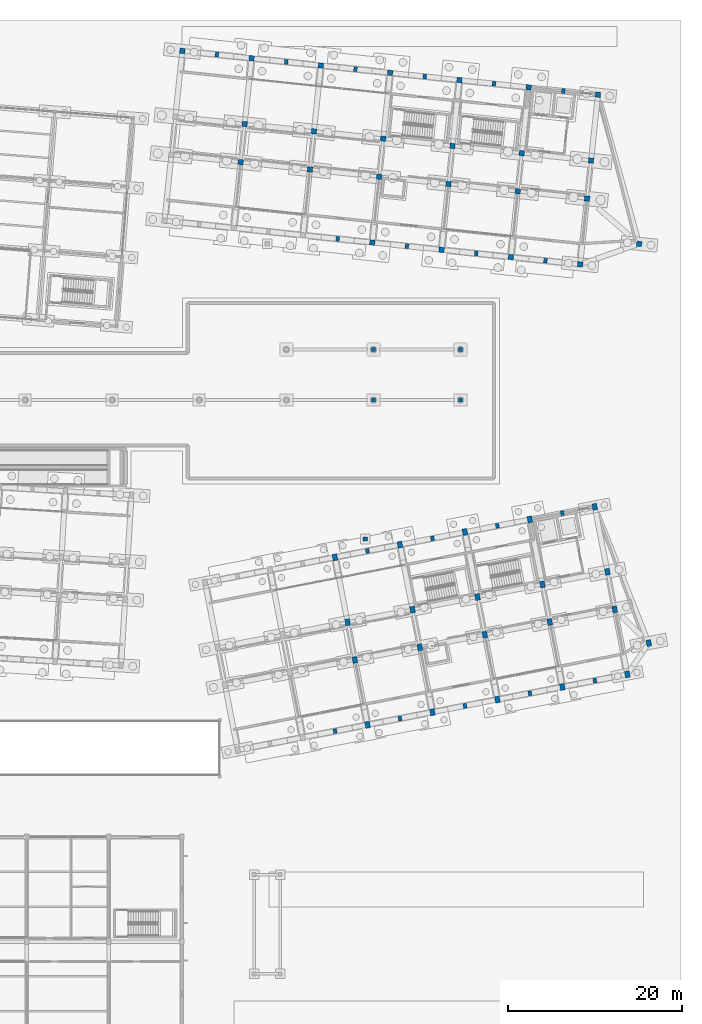
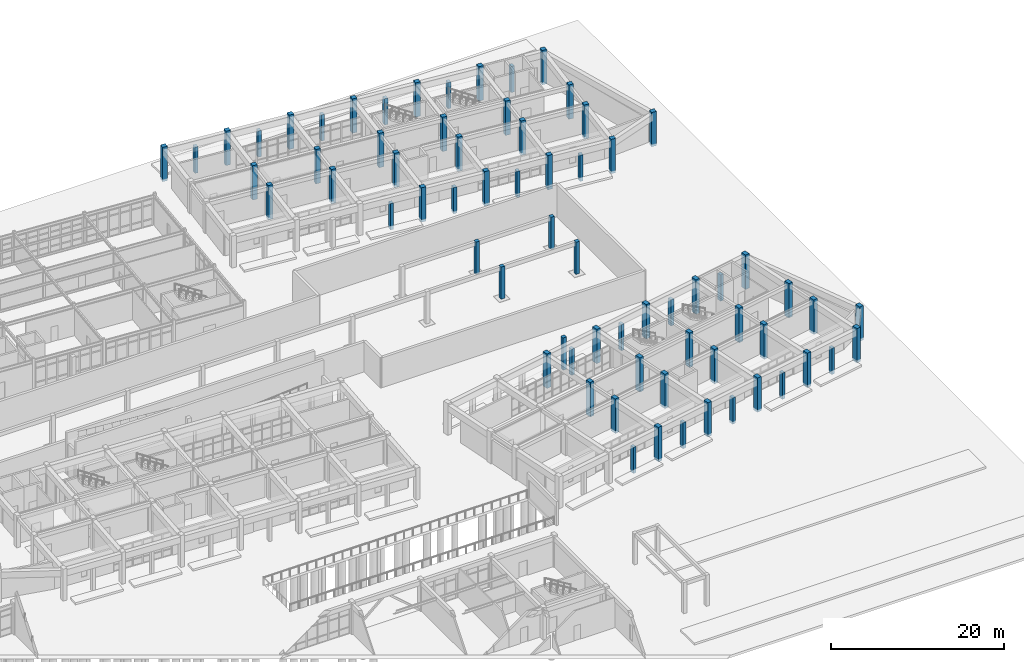
# One storey, part 12 of 154: 69 columns.
"""IFC4 building model written with IfcOpenShell, lengths in metres."""

from ifc_helpers import new_model, si_unit, direction, frame, origin, origin_2d, place, context, subcontext, project, spatial, rectangle, extrude, material, material_profile, profile_set, type_object, element, save


model = new_model("IFC4")

# Units and contexts
model_context = context("Model", 3, precision=1e-05, world=origin(), true_north=direction((0.0, 1.0)))
body_context = subcontext(model_context, "Body", "Model", "MODEL_VIEW")
ifc_project = project(units=[si_unit("LENGTHUNIT", "METRE"), si_unit("AREAUNIT", "SQUARE_METRE"), si_unit("VOLUMEUNIT", "CUBIC_METRE"), si_unit("PLANEANGLEUNIT", "RADIAN"), si_unit("MASSUNIT", "GRAM", prefix="KILO")], contexts=[model_context])

# Site, building, storey
site_placement = place(None, origin())
site = spatial("IfcSite", under=ifc_project, at=site_placement, CompositionType="ELEMENT")
building_placement = place(site_placement, origin())
building = spatial("IfcBuilding", under=site, at=building_placement, Name="Kestramere Prow Commons", CompositionType="ELEMENT")
storey_placement = place(building_placement, origin())
storey = spatial("IfcBuildingStorey", under=building, at=storey_placement, Name="L00", CompositionType="ELEMENT", Elevation=0.0)

# Columns
ifc_material = material(Name="Precast concrete C40/50", Category="concrete")
ifc_material_profile_1 = material_profile(ifc_material, rectangle(XDim=0.60009765625, YDim=0.60009765625, at=origin_2d()), Name="PC-COL 600x600")
ifc_profile_set_1 = profile_set([ifc_material_profile_1], Name="Precast concrete C40/50")
column_type_1 = type_object("IfcColumnType", Name="C-B1 PC-COL 600x600", PredefinedType="COLUMN", material=ifc_profile_set_1)
for number, where, z_axis, x_axis, name in (
    (1, (118.75048828125, 101.522216796875, -0.35009765625), (0.0, 0.0, 1.0), (0.994521895368, -0.104528463268, 0.0), "Block B L00 Column 2-2"),
    (2, (119.21044921875, 105.89794921875, -0.35009765625), (0.0, 0.0, 1.0), (0.994521895368, -0.104528463268, 0.0), "Block B L00 Column 2-3"),
    (3, (126.706787109375, 100.685791015625, -0.35009765625), (0.0, 0.0, 1.0), (0.994521895368, -0.104528463268, 0.0), "Block B L00 Column 3-2"),
    (4, (127.166748046875, 105.061767578125, -0.35009765625), (0.0, 0.0, 1.0), (0.994521895368, -0.104528463268, 0.0), "Block B L00 Column 3-3"),
    (5, (134.662841796875, 99.849609375, -0.35009765625), (0.0, 0.0, 1.0), (0.994521895368, -0.104528463268, 0.0), "Block B L00 Column 4-2"),
    (6, (135.122802734375, 104.2255859375, -0.35009765625), (0.0, 0.0, 1.0), (0.994521895368, -0.104528463268, 0.0), "Block B L00 Column 4-3"),
    (7, (142.619140625, 99.013427734375, -0.35009765625), (0.0, 0.0, 1.0), (0.994521895368, -0.104528463268, 0.0), "Block B L00 Column 5-2"),
    (8, (143.0791015625, 103.389404296875, -0.35009765625), (0.0, 0.0, 1.0), (0.994521895368, -0.104528463268, 0.0), "Block B L00 Column 5-3"),
    (9, (150.5751953125, 98.17724609375, -0.35009765625), (0.0, 0.0, 1.0), (0.994521895368, -0.104528463268, 0.0), "Block B L00 Column 6-2"),
    (10, (151.03515625, 102.55322265625, -0.35009765625), (0.0, 0.0, 1.0), (0.994521895368, -0.104528463268, 0.0), "Block B L00 Column 6-3"),
):
    element("IfcColumn", number, at=place(storey_placement, frame(where, z_axis=z_axis, x_axis=x_axis)), inside=storey, type_object=column_type_1, Name=name, PredefinedType="COLUMN", context=body_context, shape_type="SweptSolid", body=[
        extrude(rectangle(XDim=0.60009765625, YDim=0.60009765625, at=origin_2d()), origin(), (0.0, 0.0, 1.0), 4.85009765625),
    ])
ifc_material_profile_2 = material_profile(ifc_material, rectangle(XDim=0.60009765625, YDim=0.60009765625, at=origin_2d()), Name="PC-COL 600x600")
ifc_profile_set_2 = profile_set([ifc_material_profile_2], Name="Precast concrete C40/50")
column_type_2 = type_object("IfcColumnType", Name="C-B1 PC-COL 600x600 (EX)", PredefinedType="COLUMN", material=ifc_profile_set_2)
for number, where, z_axis, x_axis, name in (
    (11, (112.048828125, 114.292724609375, -0.35009765625), (0.0, 0.0, 1.0), (0.994521895368, -0.104528463268, 0.0), "Block B L00 Column 1-4"),
    (12, (120.0048828125, 113.456298828125, -0.35009765625), (0.0, 0.0, 1.0), (0.994521895368, -0.104528463268, 0.0), "Block B L00 Column 2-4"),
    (13, (127.961181640625, 112.6201171875, -0.35009765625), (0.0, 0.0, 1.0), (0.994521895368, -0.104528463268, 0.0), "Block B L00 Column 3-4"),
    (14, (133.868408203125, 92.291259765625, -0.35009765625), (0.0, 0.0, 1.0), (0.994521895368, -0.104528463268, 0.0), "Block B L00 Column 4-1"),
    (15, (135.917236328125, 111.783935546875, -0.35009765625), (0.0, 0.0, 1.0), (0.994521895368, -0.104528463268, 0.0), "Block B L00 Column 4-4"),
    (16, (141.82470703125, 91.455078125, -0.35009765625), (0.0, 0.0, 1.0), (0.994521895368, -0.104528463268, 0.0), "Block B L00 Column 5-1"),
    (17, (143.87353515625, 110.94775390625, -0.35009765625), (0.0, 0.0, 1.0), (0.994521895368, -0.104528463268, 0.0), "Block B L00 Column 5-4"),
    (18, (149.78076171875, 90.618896484375, -0.35009765625), (0.0, 0.0, 1.0), (0.994521895368, -0.104528463268, 0.0), "Block B L00 Column 6-1"),
    (19, (151.82958984375, 110.111572265625, -0.35009765625), (0.0, 0.0, 1.0), (0.994521895368, -0.104528463268, 0.0), "Block B L00 Column 6-4"),
    (20, (157.737060546875, 89.78271484375, -0.35009765625), (0.0, 0.0, 1.0), (0.994521895368, -0.104528463268, 0.0), "Block B L00 Column 7-1"),
    (21, (158.531494140625, 97.341064453125, -0.35009765625), (0.0, 0.0, 1.0), (0.994521895368, -0.104528463268, 0.0), "Block B L00 Column 7-2"),
    (22, (158.991455078125, 101.716796875, -0.35009765625), (0.0, 0.0, 1.0), (0.994521895368, -0.104528463268, 0.0), "Block B L00 Column 7-3"),
    (23, (159.785888671875, 109.275146484375, -0.35009765625), (0.0, 0.0, 1.0), (0.994521895368, -0.104528463268, 0.0), "Block B L00 Column 7-4"),
    (24, (164.520263671875, 92.136474609375, -0.35009765625), (0.0, 0.0, 1.0), (0.994521895368, -0.104528463268, 0.0), "Block B L00 Prow Apex Column"),
):
    element("IfcColumn", number, at=place(storey_placement, frame(where, z_axis=z_axis, x_axis=x_axis)), inside=storey, type_object=column_type_2, Name=name, PredefinedType="COLUMN", context=body_context, shape_type="SweptSolid", body=[
        extrude(rectangle(XDim=0.60009765625, YDim=0.60009765625, at=origin_2d()), origin(), (0.0, 0.0, 1.0), 4.85009765625),
    ])
ifc_material_profile_3 = material_profile(ifc_material, rectangle(XDim=0.5, YDim=0.5, at=origin_2d()), Name="PC-COL 500x500")
ifc_profile_set_3 = profile_set([ifc_material_profile_3], Name="Precast concrete C40/50")
column_type_3 = type_object("IfcColumnType", Name="C-CRT-01 PC-COL 500x500", PredefinedType="COLUMN", material=ifc_profile_set_3)
for number, where, z_axis, x_axis, name in (
    (25, (134.0, 74.199951171875, -0.35009765625), (0.0, 0.0, 1.0), (1.0, 0.0, 0.0), "Courtyard Support Column 134-74"),
    (26, (144.0, 74.199951171875, -0.35009765625), (0.0, 0.0, 1.0), (1.0, 0.0, 0.0), "Courtyard Support Column 144-74"),
    (27, (134.0, 80.0, -0.35009765625), (0.0, 0.0, 1.0), (1.0, 0.0, 0.0), "Courtyard Support Column 134-80"),
    (28, (144.0, 80.0, -0.35009765625), (0.0, 0.0, 1.0), (1.0, 0.0, 0.0), "Courtyard Support Column 144-80"),
):
    element("IfcColumn", number, at=place(storey_placement, frame(where, z_axis=z_axis, x_axis=x_axis)), inside=storey, type_object=column_type_3, Name=name, PredefinedType="COLUMN", context=body_context, shape_type="SweptSolid", body=[
        extrude(rectangle(XDim=0.5, YDim=0.5, at=origin_2d()), origin(), (0.0, 0.0, 1.0), 4.550048828125),
    ])
ifc_material_profile_4 = material_profile(ifc_material, rectangle(XDim=0.5, YDim=0.5, at=origin_2d()), Name="PC-COL 500x500")
ifc_profile_set_4 = profile_set([ifc_material_profile_4], Name="Precast concrete C40/50")
column_type_4 = type_object("IfcColumnType", Name="C-CRT-01 PC-COL 500x500 (EX)", PredefinedType="COLUMN", material=ifc_profile_set_4)
column_placement = place(storey_placement, frame((133.0439453125, 58.239501953125, -0.35009765625), z_axis=(0.0, 0.0, 1.0), x_axis=(1.0, 0.0, 0.0)))
element("IfcColumn", 29, at=column_placement, inside=storey, type_object=column_type_4, Name="Courtyard Bridge Support Column D", PredefinedType="COLUMN", context=body_context, shape_type="SweptSolid", body=[
    extrude(rectangle(XDim=0.5, YDim=0.5, at=origin_2d()), origin(), (0.0, 0.0, 1.0), 4.550048828125),
])
ifc_material_profile_5 = material_profile(ifc_material, rectangle(XDim=0.550048828125, YDim=0.75, at=origin_2d()), Name="PC-COL 550x750")
ifc_profile_set_5 = profile_set([ifc_material_profile_5], Name="Precast concrete C40/50")
column_type_5 = type_object("IfcColumnType", Name="C-D1 PC-COL 550x750", PredefinedType="COLUMN", material=ifc_profile_set_5)
for number, where, z_axis, x_axis, name in (
    (30, (131.87060546875, 44.360595703125, -0.35009765625), (0.0, 0.0, 1.0), (0.981627183448, 0.190808995377, 0.0), "Block D L00 Column 3-2"),
    (31, (131.031005859375, 48.679931640625, -0.35009765625), (0.0, 0.0, 1.0), (0.981627183448, 0.190808995377, 0.0), "Block D L00 Column 3-3"),
    (32, (139.3310546875, 45.810791015625, -0.35009765625), (0.0, 0.0, 1.0), (0.981627183448, 0.190808995377, 0.0), "Block D L00 Column 4-2"),
    (33, (138.491455078125, 50.1298828125, -0.35009765625), (0.0, 0.0, 1.0), (0.981627183448, 0.190808995377, 0.0), "Block D L00 Column 4-3"),
    (34, (146.791259765625, 47.260986328125, -0.35009765625), (0.0, 0.0, 1.0), (0.981627183448, 0.190808995377, 0.0), "Block D L00 Column 5-2"),
    (35, (145.95166015625, 51.580078125, -0.35009765625), (0.0, 0.0, 1.0), (0.981627183448, 0.190808995377, 0.0), "Block D L00 Column 5-3"),
    (36, (154.251708984375, 48.711181640625, -0.35009765625), (0.0, 0.0, 1.0), (0.981627183448, 0.190808995377, 0.0), "Block D L00 Column 6-2"),
    (37, (153.412109375, 53.0302734375, -0.35009765625), (0.0, 0.0, 1.0), (0.981627183448, 0.190808995377, 0.0), "Block D L00 Column 6-3"),
):
    element("IfcColumn", number, at=place(storey_placement, frame(where, z_axis=z_axis, x_axis=x_axis)), inside=storey, type_object=column_type_5, Name=name, PredefinedType="COLUMN", context=body_context, shape_type="SweptSolid", body=[
        extrude(rectangle(XDim=0.550048828125, YDim=0.75, at=origin_2d()), origin(), (0.0, 0.0, 1.0), 4.85009765625),
    ])
ifc_material_profile_6 = material_profile(ifc_material, rectangle(XDim=0.550048828125, YDim=0.75, at=origin_2d()), Name="PC-COL 550x750")
ifc_profile_set_6 = profile_set([ifc_material_profile_6], Name="Precast concrete C40/50")
column_type_6 = type_object("IfcColumnType", Name="C-D1 PC-COL 550x750 (EX)", PredefinedType="COLUMN", material=ifc_profile_set_6)
for number, where, z_axis, x_axis, name in (
    (38, (133.32080078125, 36.900390625, -0.35009765625), (0.0, 0.0, 1.0), (0.981627183448, 0.190808995377, 0.0), "Block D L00 Column 3-1"),
    (39, (129.580810546875, 56.14013671875, -0.35009765625), (0.0, 0.0, 1.0), (0.981627183448, 0.190808995377, 0.0), "Block D L00 Column 3-4"),
    (40, (140.781005859375, 38.350341796875, -0.35009765625), (0.0, 0.0, 1.0), (0.981627183448, 0.190808995377, 0.0), "Block D L00 Column 4-1"),
    (41, (137.041259765625, 57.59033203125, -0.35009765625), (0.0, 0.0, 1.0), (0.981627183448, 0.190808995377, 0.0), "Block D L00 Column 4-4"),
    (42, (148.241455078125, 39.800537109375, -0.35009765625), (0.0, 0.0, 1.0), (0.981627183448, 0.190808995377, 0.0), "Block D L00 Column 5-1"),
    (43, (144.501708984375, 59.04052734375, -0.35009765625), (0.0, 0.0, 1.0), (0.981627183448, 0.190808995377, 0.0), "Block D L00 Column 5-4"),
    (44, (155.701904296875, 41.250732421875, -0.35009765625), (0.0, 0.0, 1.0), (0.981627183448, 0.190808995377, 0.0), "Block D L00 Column 6-1"),
    (45, (151.9619140625, 60.49072265625, -0.35009765625), (0.0, 0.0, 1.0), (0.981627183448, 0.190808995377, 0.0), "Block D L00 Column 6-4"),
    (46, (163.162109375, 42.700927734375, -0.35009765625), (0.0, 0.0, 1.0), (0.981627183448, 0.190808995377, 0.0), "Block D L00 Column 7-1"),
    (47, (161.712158203125, 50.161376953125, -0.35009765625), (0.0, 0.0, 1.0), (0.981627183448, 0.190808995377, 0.0), "Block D L00 Column 7-2"),
    (48, (160.87255859375, 54.48046875, -0.35009765625), (0.0, 0.0, 1.0), (0.981627183448, 0.190808995377, 0.0), "Block D L00 Column 7-3"),
    (49, (159.42236328125, 61.940673828125, -0.35009765625), (0.0, 0.0, 1.0), (0.981627183448, 0.190808995377, 0.0), "Block D L00 Column 7-4"),
    (50, (165.623291015625, 46.286376953125, -0.35009765625), (0.0, 0.0, 1.0), (0.981627183448, 0.190808995377, 0.0), "Block D L00 Prow Apex Column"),
):
    element("IfcColumn", number, at=place(storey_placement, frame(where, z_axis=z_axis, x_axis=x_axis)), inside=storey, type_object=column_type_6, Name=name, PredefinedType="COLUMN", context=body_context, shape_type="SweptSolid", body=[
        extrude(rectangle(XDim=0.550048828125, YDim=0.75, at=origin_2d()), origin(), (0.0, 0.0, 1.0), 4.85009765625),
    ])
ifc_material_profile_7 = material_profile(ifc_material, rectangle(XDim=0.39990234375, YDim=0.550048828125, at=origin_2d()), Name="PC-PIL 400x550")
ifc_profile_set_7 = profile_set([ifc_material_profile_7], Name="Precast concrete C40/50")
column_type_7 = type_object("IfcColumnType", Name="PIL-02 PC-PIL 400x550", PredefinedType="PILASTER", material=ifc_profile_set_7)
for number, where, z_axis, x_axis, name in (
    (51, (116.02685546875, 113.87451171875, -0.35009765625), (0.0, 0.0, 1.0), (0.994521895368, -0.104528463268, 0.0), "Block B L00 Colonnade Pilaster N1"),
    (52, (123.98291015625, 113.038330078125, -0.35009765625), (0.0, 0.0, 1.0), (0.994521895368, -0.104528463268, 0.0), "Block B L00 Colonnade Pilaster N2"),
    (53, (129.890380859375, 92.70947265625, -0.35009765625), (0.0, 0.0, 1.0), (0.994521895368, -0.104528463268, 0.0), "Block B L00 Colonnade Pilaster S3"),
    (54, (131.939208984375, 112.2021484375, -0.35009765625), (0.0, 0.0, 1.0), (0.994521895368, -0.104528463268, 0.0), "Block B L00 Colonnade Pilaster N3"),
    (55, (137.8466796875, 91.873291015625, -0.35009765625), (0.0, 0.0, 1.0), (0.994521895368, -0.104528463268, 0.0), "Block B L00 Colonnade Pilaster S4"),
    (56, (139.895263671875, 111.36572265625, -0.35009765625), (0.0, 0.0, 1.0), (0.994521895368, -0.104528463268, 0.0), "Block B L00 Colonnade Pilaster N4"),
    (57, (145.802734375, 91.036865234375, -0.35009765625), (0.0, 0.0, 1.0), (0.994521895368, -0.104528463268, 0.0), "Block B L00 Colonnade Pilaster S5"),
    (58, (147.8515625, 110.529541015625, -0.35009765625), (0.0, 0.0, 1.0), (0.994521895368, -0.104528463268, 0.0), "Block B L00 Colonnade Pilaster N5"),
    (59, (153.759033203125, 90.20068359375, -0.35009765625), (0.0, 0.0, 1.0), (0.994521895368, -0.104528463268, 0.0), "Block B L00 Colonnade Pilaster S6"),
    (60, (155.8076171875, 109.693359375, -0.35009765625), (0.0, 0.0, 1.0), (0.994521895368, -0.104528463268, 0.0), "Block B L00 Colonnade Pilaster N6"),
    (61, (129.590576171875, 36.17529296875, -0.35009765625), (0.0, 0.0, 1.0), (0.981627183448, 0.190808995377, 0.0), "Block D L00 Colonnade Pilaster S2"),
    (62, (137.051025390625, 37.62548828125, -0.35009765625), (0.0, 0.0, 1.0), (0.981627183448, 0.190808995377, 0.0), "Block D L00 Colonnade Pilaster S3"),
    (63, (133.31103515625, 56.865234375, -0.35009765625), (0.0, 0.0, 1.0), (0.981627183448, 0.190808995377, 0.0), "Block D L00 Colonnade Pilaster N3"),
    (64, (144.51123046875, 39.075439453125, -0.35009765625), (0.0, 0.0, 1.0), (0.981627183448, 0.190808995377, 0.0), "Block D L00 Colonnade Pilaster S4"),
    (65, (140.771484375, 58.3154296875, -0.35009765625), (0.0, 0.0, 1.0), (0.981627183448, 0.190808995377, 0.0), "Block D L00 Colonnade Pilaster N4"),
    (66, (151.9716796875, 40.525634765625, -0.35009765625), (0.0, 0.0, 1.0), (0.981627183448, 0.190808995377, 0.0), "Block D L00 Colonnade Pilaster S5"),
    (67, (148.231689453125, 59.765625, -0.35009765625), (0.0, 0.0, 1.0), (0.981627183448, 0.190808995377, 0.0), "Block D L00 Colonnade Pilaster N5"),
    (68, (159.43212890625, 41.975830078125, -0.35009765625), (0.0, 0.0, 1.0), (0.981627183448, 0.190808995377, 0.0), "Block D L00 Colonnade Pilaster S6"),
    (69, (155.692138671875, 61.2158203125, -0.35009765625), (0.0, 0.0, 1.0), (0.981627183448, 0.190808995377, 0.0), "Block D L00 Colonnade Pilaster N6"),
):
    element("IfcColumn", number, at=place(storey_placement, frame(where, z_axis=z_axis, x_axis=x_axis)), inside=storey, type_object=column_type_7, Name=name, PredefinedType="PILASTER", context=body_context, shape_type="SweptSolid", body=[
        extrude(rectangle(XDim=0.39990234375, YDim=0.550048828125, at=origin_2d()), origin(), (0.0, 0.0, 1.0), 3.7001953125),
    ])

save(model, "model.ifc")
